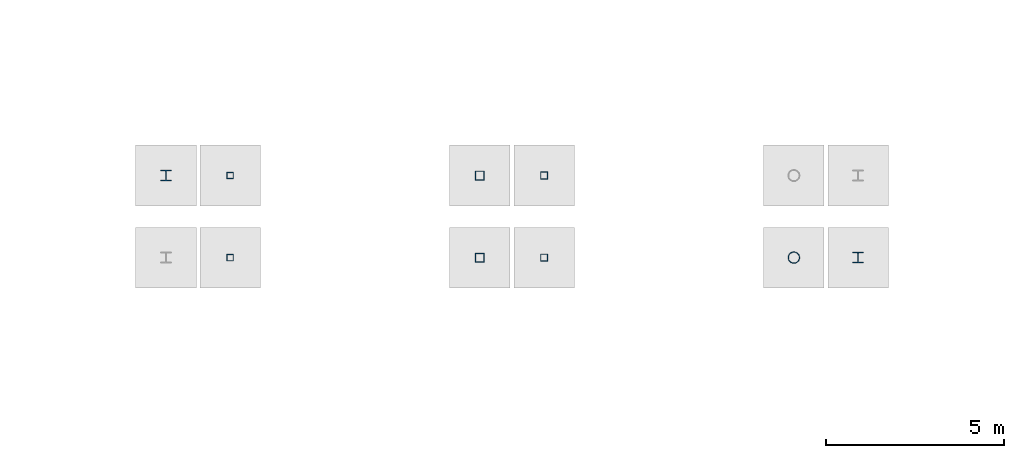
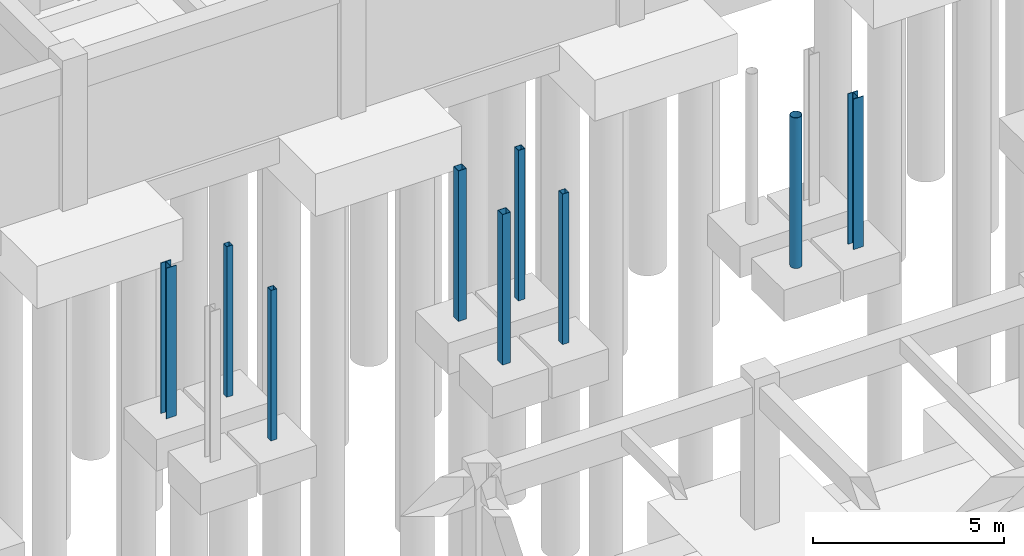
# One storey, part 31 of 80: 9 columns.
"""IFC4 building model written with IfcOpenShell, lengths in metres."""

import ifcopenshell
import ifcopenshell.guid

model = None  # the IFC model being written
_history = None  # IfcOwnerHistory: only IFC2X3 demands one
_inside = {}  # id of a spatial element -> (the spatial element, [elements in it])
_under = {}  # id of a project, library or spatial element -> (it, [spatial elements below it])
_declared = {}  # id of a project -> (the project, [libraries it declares])
_typed = {}  # id of a type object -> (the type object, [elements of that type])
_made_of = {}  # id of a material, layer set ... -> (it, [elements and type objects made of it])


def new_model(schema):
    """Start an empty IFC model of exactly this schema.

    Asked for "IFC4X3", IfcOpenShell would pick the latest addendum, in which some entities
    have other attributes; the version numbers below select the first issue.
    IFC2X3 requires an IfcOwnerHistory on every rooted entity: one is made here for all.
    """
    global model, _history
    if schema == "IFC4X3":
        model = ifcopenshell.file(schema_version=(4, 3, 0, 0))
    else:
        model = ifcopenshell.file(schema=schema)
    _inside.clear()
    _under.clear()
    _declared.clear()
    _typed.clear()
    _made_of.clear()
    _history = None
    if model.schema == "IFC2X3":
        org = make("IfcOrganization", Name="unknown")
        user = make(
            "IfcPersonAndOrganization",
            ThePerson=make("IfcPerson", FamilyName="unknown"),
            TheOrganization=org,
        )
        app = make(
            "IfcApplication",
            ApplicationDeveloper=org,
            Version="unknown",
            ApplicationFullName="unknown",
            ApplicationIdentifier="unknown",
        )
        _history = make(
            "IfcOwnerHistory",
            OwningUser=user,
            OwningApplication=app,
            ChangeAction="ADDED",
            CreationDate=0,
        )
    return model


def make(cls, **values):
    """One entity of the class cls with the attributes given. An attribute that is None is left unset."""
    return model.create_entity(
        cls, **{name: value for name, value in values.items() if value is not None}
    )


def rooted(cls, **values):
    """An entity with a GlobalId (a new one), such as an element, a storey or a relation."""
    return make(cls, GlobalId=ifcopenshell.guid.new(), OwnerHistory=_history, **values)


def si_unit(unit_type, name, prefix=None):
    """IfcSIUnit, for example si_unit("LENGTHUNIT", "METRE", prefix="MILLI")."""
    return make("IfcSIUnit", UnitType=unit_type, Prefix=prefix, Name=name)


def assignment(units):
    """IfcUnitAssignment: the units of a project."""
    return None if units is None else make("IfcUnitAssignment", Units=units)


def point(xyz):
    """IfcCartesianPoint."""
    return None if xyz is None else make("IfcCartesianPoint", Coordinates=xyz)


def direction(xyz):
    """IfcDirection."""
    return None if xyz is None else make("IfcDirection", DirectionRatios=xyz)


def frame(location, z_axis=None, x_axis=None):
    """IfcAxis2Placement3D, a coordinate frame: its origin and axes. An axis left out is left unset."""
    return make(
        "IfcAxis2Placement3D",
        Location=point(location),
        Axis=direction(z_axis),
        RefDirection=direction(x_axis),
    )


def frame_2d(location, x_axis=None):
    """IfcAxis2Placement2D, a coordinate frame in the plane: its origin and x axis."""
    return make(
        "IfcAxis2Placement2D", Location=point(location), RefDirection=direction(x_axis)
    )


def origin():
    """The frame at (0, 0, 0) with its axes left unset."""
    return frame((0.0, 0.0, 0.0))


def origin_2d():
    """The frame at (0, 0) in the plane with its x axis left unset."""
    return frame_2d((0.0, 0.0))


def place(relative_to, where):
    """IfcLocalPlacement: puts the frame where relative to a parent placement (None: the world)."""
    return make(
        "IfcLocalPlacement", PlacementRelTo=relative_to, RelativePlacement=where
    )


def context(
    kind, dimensions, precision=None, world=None, true_north=None, identifier=None
):
    """IfcGeometricRepresentationContext, for example the 3D "Model" context."""
    return make(
        "IfcGeometricRepresentationContext",
        ContextIdentifier=identifier,
        ContextType=kind,
        CoordinateSpaceDimension=dimensions,
        Precision=precision,
        WorldCoordinateSystem=world,
        TrueNorth=true_north,
    )


def subcontext(parent, identifier, kind, view, scale=None):
    """IfcGeometricRepresentationSubContext, for example "Body" below "Model"."""
    return make(
        "IfcGeometricRepresentationSubContext",
        ContextIdentifier=identifier,
        ContextType=kind,
        ParentContext=parent,
        TargetScale=scale,
        TargetView=view,
    )


def project(units=None, contexts=None):
    """IfcProject with its units and contexts."""
    return rooted(
        "IfcProject",
        Name="project",
        RepresentationContexts=contexts,
        UnitsInContext=assignment(units),
    )


def spatial(cls, under=None, at=None, **own):
    """A site, building, storey or space (cls), placed at a placement, below another one or the project."""
    s = rooted(cls, ObjectPlacement=at, **own)
    if under is not None:
        _under.setdefault(under.id(), (under, []))[1].append(s)
    return s


def profile(cls, at=None, kind="AREA", **sizes):
    """A parametric profile (cls). Its sizes go by their IFC names, for example OverallWidth=200.0."""
    return make(cls, ProfileType=kind, Position=at, **sizes)


def hollow_rectangle(**sizes):
    """IfcRectangleHollowProfileDef."""
    return profile("IfcRectangleHollowProfileDef", **sizes)


def hollow_circle(**sizes):
    """IfcCircleHollowProfileDef."""
    return profile("IfcCircleHollowProfileDef", **sizes)


def i_section(**sizes):
    """IfcIShapeProfileDef."""
    return profile("IfcIShapeProfileDef", **sizes)


def extrude(swept, where, along, depth):
    """IfcExtrudedAreaSolid: the profile swept, set in the frame where, extruded along a direction by depth."""
    return make(
        "IfcExtrudedAreaSolid",
        SweptArea=swept,
        Position=where,
        ExtrudedDirection=direction(along),
        Depth=depth,
    )


def shape(context_of_items, identifier, shape_type, items):
    """IfcShapeRepresentation: the items that make up one representation, for example the "Body"."""
    return make(
        "IfcShapeRepresentation",
        ContextOfItems=context_of_items,
        RepresentationIdentifier=identifier,
        RepresentationType=shape_type,
        Items=items,
    )


def material(Name=None, Category=None):
    """IfcMaterial."""
    return make("IfcMaterial", Name=Name, Category=Category)


def material_profile(
    of_material, cross_section, Name=None, Category=None, Priority=None
):
    """IfcMaterialProfile: a cross section and its material."""
    return make(
        "IfcMaterialProfile",
        Name=Name,
        Material=of_material,
        Profile=cross_section,
        Priority=Priority,
        Category=Category,
    )


def profile_set(profiles, Name=None, composite=None):
    """IfcMaterialProfileSet."""
    return make(
        "IfcMaterialProfileSet",
        Name=Name,
        MaterialProfiles=profiles,
        CompositeProfile=composite,
    )


def made_of(thing, what):
    """Note that an element or type object is made of a material, layer set ...; save() writes the relation."""
    if what is not None:
        _made_of.setdefault(what.id(), (what, []))[1].append(thing)
    return thing


def type_object(cls, material=None, **own):
    """A type object (cls), such as IfcWallType, which elements share."""
    return made_of(rooted(cls, **own), material)


def element(
    cls,
    number,
    at=None,
    inside=None,
    cuts=None,
    type_object=None,
    material=None,
    context=None,
    identifier="Body",
    shape_type=None,
    held_by="IfcProductDefinitionShape",
    body=None,
    shapes=None,
    **own,
):
    """One element of the class cls, such as IfcWall. Its Tag is "e" and its number.

    at: its placement. inside: the storey or other place that contains it. cuts: it is an
    opening in that element (IfcRelVoidsElement). A single representation is given by context,
    identifier, shape_type and body (its items); several are given by shapes. held_by: the class
    of the entity that holds the representations. save() writes the other relations.
    """
    e = rooted(cls, Tag="e%d" % number, ObjectPlacement=at, **own)
    if body is not None:
        shapes = [shape(context, identifier, shape_type, body)]
    if shapes is not None:
        e.Representation = make(held_by, Representations=shapes)
    if inside is not None:
        _inside.setdefault(inside.id(), (inside, []))[1].append(e)
    if cuts is not None:
        rooted(
            "IfcRelVoidsElement", RelatingBuildingElement=cuts, RelatedOpeningElement=e
        )
    if type_object is not None:
        _typed.setdefault(type_object.id(), (type_object, []))[1].append(e)
    return made_of(e, material)


def aggregate(whole, parts):
    """IfcRelAggregates: a whole, such as a stair, and the parts it consists of."""
    return rooted("IfcRelAggregates", RelatingObject=whole, RelatedObjects=parts)


def save(model, path):
    """Write the relations noted so far, then the file.

    IfcRelAggregates (storeys below a building ...), IfcRelContainedInSpatialStructure (elements
    in a storey), IfcRelDefinesByType, IfcRelAssociatesMaterial and IfcRelDeclares: one each for
    every whole, place, type object, material and project.
    """
    for whole, parts in _under.values():
        aggregate(whole, parts)
    for where, things in _inside.values():
        rooted(
            "IfcRelContainedInSpatialStructure",
            RelatedElements=things,
            RelatingStructure=where,
        )
    for kind, things in _typed.values():
        rooted("IfcRelDefinesByType", RelatedObjects=things, RelatingType=kind)
    for what, things in _made_of.values():
        rooted("IfcRelAssociatesMaterial", RelatedObjects=things, RelatingMaterial=what)
    for by, libraries in _declared.values():
        rooted("IfcRelDeclares", RelatingContext=by, RelatedDefinitions=libraries)
    model.write(path)


model = new_model("IFC4")

# Units and contexts
model_context = context("Model", 3, precision=1e-05, world=origin(), true_north=direction((0.0, 1.0)))
body_context = subcontext(model_context, "Body", "Model", "MODEL_VIEW")
ifc_project = project(units=[si_unit("LENGTHUNIT", "METRE"), si_unit("AREAUNIT", "SQUARE_METRE"), si_unit("VOLUMEUNIT", "CUBIC_METRE"), si_unit("PLANEANGLEUNIT", "RADIAN"), si_unit("MASSUNIT", "GRAM", prefix="KILO")], contexts=[model_context])

# Site, building, storey
site_placement = place(None, origin())
site = spatial("IfcSite", under=ifc_project, at=site_placement, CompositionType="ELEMENT")
building_placement = place(site_placement, origin())
building = spatial("IfcBuilding", under=site, at=building_placement, Name="Malvenik Polytechnic", CompositionType="ELEMENT")
storey_placement = place(building_placement, frame((0.0, 0.0, -4.800048828125)))
storey = spatial("IfcBuildingStorey", under=building, at=storey_placement, Name="B1", CompositionType="ELEMENT", Elevation=-4.800048828125)

# Columns
ifc_material_1 = material(Name="Steel S355J2H", Category="steel")
ifc_material_profile_1 = material_profile(ifc_material_1, hollow_rectangle(XDim=0.25, YDim=0.25, WallThickness=0.010009765625, at=origin_2d()), Name="SHS 250x250x10.0")
ifc_profile_set_1 = profile_set([ifc_material_profile_1], Name="Steel S355J2H")
column_type_1 = type_object("IfcColumnType", Name="STR-SCOL-SC-01", PredefinedType="COLUMN", material=ifc_profile_set_1)
for number, where, z_axis, x_axis, name in (
    (1, (39.800048828125, 103.14990234375, 0.0), (0.0, 0.0, 1.0), (1.0, 0.0, 0.0), "Bridge-Ramp Support Column SC-01 B1"),
    (2, (39.800048828125, 105.449951171875, 0.0), (0.0, 0.0, 1.0), (1.0, 0.0, 0.0), "Bridge-Ramp Support Column SC-01 B1"),
):
    element("IfcColumn", number, at=place(storey_placement, frame(where, z_axis=z_axis, x_axis=x_axis)), inside=storey, type_object=column_type_1, Name=name, PredefinedType="COLUMN", context=body_context, shape_type="SweptSolid", body=[
        extrude(hollow_rectangle(XDim=0.25, YDim=0.25, WallThickness=0.010009765625, at=origin_2d()), origin(), (0.0, 0.0, 1.0), 4.800048828125),
    ])
ifc_material_profile_2 = material_profile(ifc_material_1, hollow_rectangle(XDim=0.199951171875, YDim=0.199951171875, WallThickness=0.010009765625, at=origin_2d()), Name="SHS 200x200x10.0")
ifc_profile_set_2 = profile_set([ifc_material_profile_2], Name="Steel S355J2H")
column_type_2 = type_object("IfcColumnType", Name="STR-SCOL-SC-02", PredefinedType="COLUMN", material=ifc_profile_set_2)
for number, where, z_axis, x_axis, name in (
    (3, (41.60009765625, 103.14990234375, 0.0), (0.0, 0.0, 1.0), (1.0, 0.0, 0.0), "Bridge-Ramp Support Column SC-02 B1"),
    (4, (41.60009765625, 105.449951171875, 0.0), (0.0, 0.0, 1.0), (1.0, 0.0, 0.0), "Bridge-Ramp Support Column SC-02 B1"),
):
    element("IfcColumn", number, at=place(storey_placement, frame(where, z_axis=z_axis, x_axis=x_axis)), inside=storey, type_object=column_type_2, Name=name, PredefinedType="COLUMN", context=body_context, shape_type="SweptSolid", body=[
        extrude(hollow_rectangle(XDim=0.199951171875, YDim=0.199951171875, WallThickness=0.010009765625, at=origin_2d()), origin(), (0.0, 0.0, 1.0), 4.800048828125),
    ])
ifc_material_profile_3 = material_profile(ifc_material_1, hollow_circle(Radius=0.161865234375, WallThickness=0.012451171875, at=origin_2d()), Name="CHS 323.9x12.5")
ifc_profile_set_3 = profile_set([ifc_material_profile_3], Name="Steel S355J2H")
column_type_3 = type_object("IfcColumnType", Name="STR-SCOL-SC-04", PredefinedType="COLUMN", material=ifc_profile_set_3)
column_placement = place(storey_placement, frame((48.60009765625, 103.14990234375, 0.0), z_axis=(0.0, 0.0, 1.0), x_axis=(1.0, 0.0, 0.0)))
element("IfcColumn", 5, at=column_placement, inside=storey, type_object=column_type_3, Name="Bridge-Ramp Support Column SC-04 B1", PredefinedType="COLUMN", context=body_context, shape_type="SweptSolid", body=[
    extrude(hollow_circle(Radius=0.161865234375, WallThickness=0.012451171875, at=origin_2d()), origin(), (0.0, 0.0, 1.0), 4.800048828125),
])
ifc_material_2 = material(Name="Steel S355", Category="steel")
ifc_material_profile_4 = material_profile(ifc_material_2, i_section(OverallWidth=0.300048828125, OverallDepth=0.300048828125, WebThickness=0.010986328125, FlangeThickness=0.01904296875, FilletRadius=0.027099609375, at=origin_2d()), Name="HEB 300")
ifc_profile_set_4 = profile_set([ifc_material_profile_4], Name="Steel S355")
column_type_4 = type_object("IfcColumnType", Name="STR-SCOL-SC-05", PredefinedType="COLUMN", material=ifc_profile_set_4)
for number, where, z_axis, x_axis, name in (
    (6, (31.0, 105.449951171875, 0.0), (0.0, 0.0, 1.0), (1.0, 0.0, 0.0), "Bridge-Ramp Support Column SC-05 B1"),
    (7, (50.39990234375, 103.14990234375, 0.0), (0.0, 0.0, 1.0), (1.0, 0.0, 0.0), "Bridge-Ramp Support Column SC-05 B1"),
):
    element("IfcColumn", number, at=place(storey_placement, frame(where, z_axis=z_axis, x_axis=x_axis)), inside=storey, type_object=column_type_4, Name=name, PredefinedType="COLUMN", context=body_context, shape_type="SweptSolid", body=[
        extrude(i_section(OverallWidth=0.300048828125, OverallDepth=0.300048828125, WebThickness=0.010986328125, FlangeThickness=0.01904296875, FilletRadius=0.027099609375, at=origin_2d()), origin(), (0.0, 0.0, 1.0), 4.800048828125),
    ])
ifc_material_profile_5 = material_profile(ifc_material_1, hollow_rectangle(XDim=0.179931640625, YDim=0.179931640625, WallThickness=0.008056640625, at=origin_2d()), Name="SHS 180x180x8.0")
ifc_profile_set_5 = profile_set([ifc_material_profile_5], Name="Steel S355J2H")
column_type_5 = type_object("IfcColumnType", Name="STR-SCOL-SC-06", PredefinedType="COLUMN", material=ifc_profile_set_5)
for number, where, z_axis, x_axis, name in (
    (8, (32.800048828125, 103.14990234375, 0.0), (0.0, 0.0, 1.0), (1.0, 0.0, 0.0), "Bridge-Ramp Support Column SC-06 B1"),
    (9, (32.800048828125, 105.449951171875, 0.0), (0.0, 0.0, 1.0), (1.0, 0.0, 0.0), "Bridge-Ramp Support Column SC-06 B1"),
):
    element("IfcColumn", number, at=place(storey_placement, frame(where, z_axis=z_axis, x_axis=x_axis)), inside=storey, type_object=column_type_5, Name=name, PredefinedType="COLUMN", context=body_context, shape_type="SweptSolid", body=[
        extrude(hollow_rectangle(XDim=0.179931640625, YDim=0.179931640625, WallThickness=0.008056640625, at=origin_2d()), origin(), (0.0, 0.0, 1.0), 4.800048828125),
    ])

save(model, "model.ifc")
